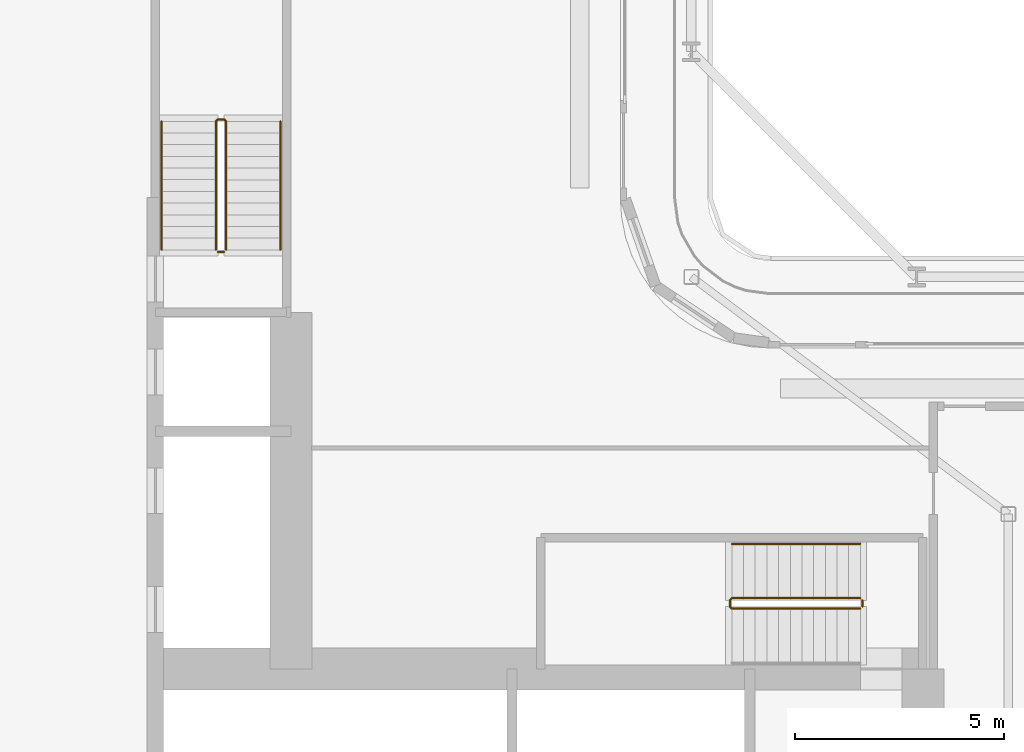
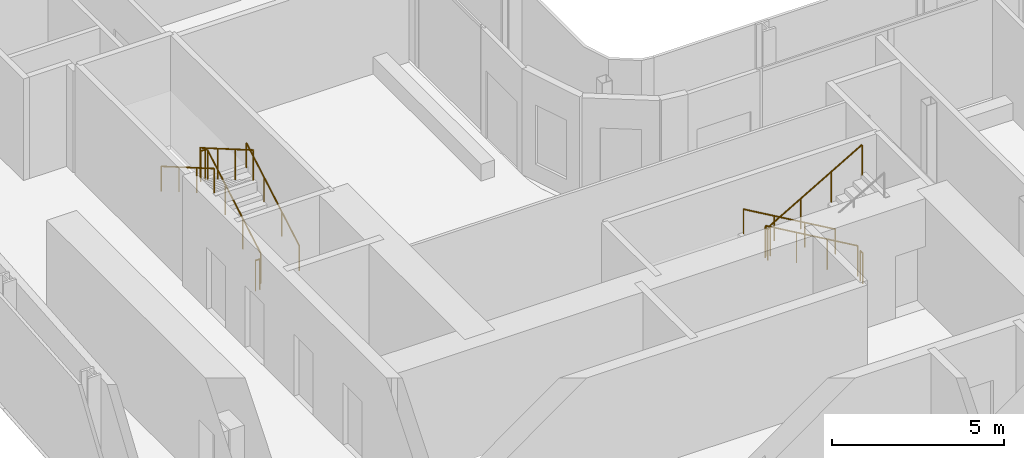
# One storey, part 23 of 28: 7 railings.
"""IFC4 building model written with IfcOpenShell, lengths in metres."""

from ifc_helpers import new_model, si_unit, direction, frame, origin, origin_2d, place, context, subcontext, project, spatial, circle, extrude, material, type_object, element, save


model = new_model("IFC4")

# Units and contexts
model_context = context("Model", 3, precision=1e-05, world=origin(), true_north=direction((0.0, 1.0)))
body_context = subcontext(model_context, "Body", "Model", "MODEL_VIEW")
ifc_project = project(units=[si_unit("LENGTHUNIT", "METRE"), si_unit("AREAUNIT", "SQUARE_METRE"), si_unit("VOLUMEUNIT", "CUBIC_METRE"), si_unit("PLANEANGLEUNIT", "RADIAN"), si_unit("MASSUNIT", "GRAM", prefix="KILO")], contexts=[model_context])

# Site, building, storey
site_placement = place(None, origin())
site = spatial("IfcSite", under=ifc_project, at=site_placement, CompositionType="ELEMENT")
building_placement = place(site_placement, origin())
building = spatial("IfcBuilding", under=site, at=building_placement, Name="Kheshtan School and Residences Tower", CompositionType="ELEMENT")
storey_placement = place(building_placement, frame((0.0, 0.0, 42.199951171875)))
storey = spatial("IfcBuildingStorey", under=building, at=storey_placement, Name="L09", CompositionType="ELEMENT", Elevation=42.199951171875)

# Railings
ifc_material_1 = material(Name="Stainless steel balustrade", Category="steel")
railing_type_1 = type_object("IfcRailingType", Name="Stair guard 1100", PredefinedType="GUARDRAIL", material=ifc_material_1)
railing_1_placement = place(storey_placement, frame((51.64990234375, 37.89990234375, 0.16259765625)))
element("IfcRailing", 1, at=railing_1_placement, inside=storey, type_object=railing_type_1, Name="L09 ST1 stair guard 1", PredefinedType="GUARDRAIL", context=body_context, shape_type="SweptSolid", body=[
    extrude(circle(Radius=0.02392578125, at=origin_2d()), frame((0.0, 0.0, 1.076171875), z_axis=(-0.864903211148, 0.0, 0.501938676878), x_axis=(0.0, -1.0, 0.0)), (0.0, 0.0, 1.0), 3.560791015625),
    extrude(circle(Radius=0.02392578125, at=origin_2d()), frame((-3.079833984375, 0.0, 2.86328125), z_axis=(-0.708833529934, -0.705375805398, 0.0), x_axis=(0.705375805398, -0.708833529934, 0.0)), (0.0, 0.0, 1.0), 0.070556640625),
    extrude(circle(Radius=0.02392578125, at=origin_2d()), frame((-3.1298828125, -0.0498046875, 2.86328125), z_axis=(0.0, -1.0, 0.0), x_axis=(1.0, 0.0, 0.0)), (0.0, 0.0, 1.0), 0.150146484375),
    extrude(circle(Radius=0.02392578125, at=origin_2d()), frame((-3.1298828125, -0.199951171875, 2.86328125), z_axis=(0.282227285176, -0.282227285176, 0.916894497205), x_axis=(0.707106781187, 0.707106781187, 0.0)), (0.0, 0.0, 1.0), 0.17724609375),
    extrude(circle(Radius=0.02392578125, at=origin_2d()), frame((-3.079833984375, -0.25, 3.02587890625), z_axis=(0.864873446163, 0.0, 0.501989962173), x_axis=(0.0, 1.0, 0.0)), (0.0, 0.0, 1.0), 3.56103515625),
    extrude(circle(Radius=0.02099609375, at=origin_2d()), origin(), (0.0, 0.0, 1.0), 1.052001953125),
    extrude(circle(Radius=0.02099609375, at=origin_2d()), frame((-1.026611328125, 0.0, 0.595703125)), (0.0, 0.0, 1.0), 1.052001953125),
    extrude(circle(Radius=0.02099609375, at=origin_2d()), frame((-2.05322265625, 0.0, 1.191650390625)), (0.0, 0.0, 1.0), 1.052001953125),
    extrude(circle(Radius=0.02099609375, at=origin_2d()), frame((-3.079833984375, 0.0, 1.787353515625)), (0.0, 0.0, 1.0), 1.052001953125),
    extrude(circle(Radius=0.02099609375, at=origin_2d()), frame((-3.1298828125, -0.0498046875, 1.787353515625)), (0.0, 0.0, 1.0), 1.052001953125),
    extrude(circle(Radius=0.02099609375, at=origin_2d()), frame((-3.1298828125, -0.199951171875, 1.787353515625)), (0.0, 0.0, 1.0), 1.052001953125),
    extrude(circle(Radius=0.02099609375, at=origin_2d()), frame((-3.079833984375, -0.25, 1.949951171875)), (0.0, 0.0, 1.0), 1.052001953125),
    extrude(circle(Radius=0.02099609375, at=origin_2d()), frame((-2.05322265625, -0.25, 2.5458984375)), (0.0, 0.0, 1.0), 1.052001953125),
    extrude(circle(Radius=0.02099609375, at=origin_2d()), frame((-1.026611328125, -0.25, 3.1416015625)), (0.0, 0.0, 1.0), 1.052001953125),
    extrude(circle(Radius=0.02099609375, at=origin_2d()), frame((0.0, -0.25, 3.737548828125)), (0.0, 0.0, 1.0), 1.052001953125),
])
railing_2_placement = place(storey_placement, frame((51.699951171875, 37.85009765625, 0.0)))
element("IfcRailing", 2, at=railing_2_placement, inside=storey, type_object=railing_type_1, Name="L09 ST1 stair guard 2", PredefinedType="GUARDRAIL", context=body_context, shape_type="SweptSolid", body=[
    extrude(circle(Radius=0.02392578125, at=origin_2d()), frame((0.0, 0.0, 1.076171875), z_axis=(0.0, -1.0, 0.0), x_axis=(1.0, 0.0, 0.0)), (0.0, 0.0, 1.0), 0.150146484375),
    extrude(circle(Radius=0.02099609375, at=origin_2d()), origin(), (0.0, 0.0, 1.0), 1.052001953125),
    extrude(circle(Radius=0.02099609375, at=origin_2d()), frame((0.0, -0.150146484375, 0.0)), (0.0, 0.0, 1.0), 1.052001953125),
])
railing_3_placement = place(storey_placement, frame((36.449951171875, 46.25, 0.16259765625)))
element("IfcRailing", 3, at=railing_3_placement, inside=storey, type_object=railing_type_1, Name="L09 ST2 stair guard 1", PredefinedType="GUARDRAIL", context=body_context, shape_type="SweptSolid", body=[
    extrude(circle(Radius=0.02392578125, at=origin_2d()), frame((0.0, 0.0, 1.076171875), z_axis=(0.0, 0.864920483161, 0.501908913857), x_axis=(-1.0, 0.0, 0.0)), (0.0, 0.0, 1.0), 3.56103515625),
    extrude(circle(Radius=0.02392578125, at=origin_2d()), frame((0.0, 3.080078125, 2.86328125), z_axis=(-0.708833529934, 0.705375805398, 0.0), x_axis=(-0.705375805398, -0.708833529934, 0.0)), (0.0, 0.0, 1.0), 0.070556640625),
    extrude(circle(Radius=0.02392578125, at=origin_2d()), frame((-0.050048828125, 3.1298828125, 2.86328125), z_axis=(-1.0, 0.0, 0.0), x_axis=(0.0, -1.0, 0.0)), (0.0, 0.0, 1.0), 0.14990234375),
    extrude(circle(Radius=0.02392578125, at=origin_2d()), frame((-0.199951171875, 3.1298828125, 2.86328125), z_axis=(-0.282336740067, -0.280959487676, 0.917250092119), x_axis=(0.705375805398, -0.708833529934, 0.0)), (0.0, 0.0, 1.0), 0.17724609375),
    extrude(circle(Radius=0.02392578125, at=origin_2d()), frame((-0.25, 3.080078125, 3.02587890625), z_axis=(0.0, -0.864890721111, 0.501960198159), x_axis=(1.0, 0.0, 0.0)), (0.0, 0.0, 1.0), 3.561279296875),
    extrude(circle(Radius=0.02099609375, at=origin_2d()), origin(), (0.0, 0.0, 1.0), 1.052001953125),
    extrude(circle(Radius=0.02099609375, at=origin_2d()), frame((0.0, 1.026611328125, 0.595703125)), (0.0, 0.0, 1.0), 1.052001953125),
    extrude(circle(Radius=0.02099609375, at=origin_2d()), frame((0.0, 2.053466796875, 1.191650390625)), (0.0, 0.0, 1.0), 1.052001953125),
    extrude(circle(Radius=0.02099609375, at=origin_2d()), frame((0.0, 3.080078125, 1.787353515625)), (0.0, 0.0, 1.0), 1.052001953125),
    extrude(circle(Radius=0.02099609375, at=origin_2d()), frame((-0.050048828125, 3.1298828125, 1.787353515625)), (0.0, 0.0, 1.0), 1.052001953125),
    extrude(circle(Radius=0.02099609375, at=origin_2d()), frame((-0.199951171875, 3.1298828125, 1.787353515625)), (0.0, 0.0, 1.0), 1.052001953125),
    extrude(circle(Radius=0.02099609375, at=origin_2d()), frame((-0.25, 3.080078125, 1.949951171875)), (0.0, 0.0, 1.0), 1.052001953125),
    extrude(circle(Radius=0.02099609375, at=origin_2d()), frame((-0.25, 2.053466796875, 2.5458984375)), (0.0, 0.0, 1.0), 1.052001953125),
    extrude(circle(Radius=0.02099609375, at=origin_2d()), frame((-0.25, 1.026611328125, 3.1416015625)), (0.0, 0.0, 1.0), 1.052001953125),
    extrude(circle(Radius=0.02099609375, at=origin_2d()), frame((-0.25, 0.0, 3.737548828125)), (0.0, 0.0, 1.0), 1.052001953125),
])
railing_4_placement = place(storey_placement, frame((36.39990234375, 46.199951171875, 0.0)))
element("IfcRailing", 4, at=railing_4_placement, inside=storey, type_object=railing_type_1, Name="L09 ST2 stair guard 2", PredefinedType="GUARDRAIL", context=body_context, shape_type="SweptSolid", body=[
    extrude(circle(Radius=0.02392578125, at=origin_2d()), frame((0.0, 0.0, 1.076171875), z_axis=(-1.0, 0.0, 0.0), x_axis=(0.0, -1.0, 0.0)), (0.0, 0.0, 1.0), 0.14990234375),
    extrude(circle(Radius=0.02099609375, at=origin_2d()), origin(), (0.0, 0.0, 1.0), 1.052001953125),
    extrude(circle(Radius=0.02099609375, at=origin_2d()), frame((-0.14990234375, 0.0, 0.0)), (0.0, 0.0, 1.0), 1.052001953125),
])
ifc_material_2 = material(Name="Stainless steel handrail", Category="steel")
railing_type_2 = type_object("IfcRailingType", Name="Stair handrail 900", PredefinedType="HANDRAIL", material=ifc_material_2)
railing_5_placement = place(storey_placement, frame((51.64990234375, 39.199951171875, 0.16259765625)))
element("IfcRailing", 5, at=railing_5_placement, inside=storey, type_object=railing_type_2, Name="L09 ST1 stair handrail 1", PredefinedType="HANDRAIL", context=body_context, shape_type="SweptSolid", body=[
    extrude(circle(Radius=0.02392578125, at=origin_2d()), frame((0.0, 0.0, 0.8759765625), z_axis=(-0.864903211148, 0.0, 0.501938676878), x_axis=(0.0, -1.0, 0.0)), (0.0, 0.0, 1.0), 3.560791015625),
    extrude(circle(Radius=0.02099609375, at=origin_2d()), origin(), (0.0, 0.0, 1.0), 0.851806640625),
    extrude(circle(Radius=0.02099609375, at=origin_2d()), frame((-1.026611328125, 0.0, 0.595703125)), (0.0, 0.0, 1.0), 0.851806640625),
    extrude(circle(Radius=0.02099609375, at=origin_2d()), frame((-2.05322265625, 0.0, 1.191650390625)), (0.0, 0.0, 1.0), 0.851806640625),
    extrude(circle(Radius=0.02099609375, at=origin_2d()), frame((-3.079833984375, 0.0, 1.787353515625)), (0.0, 0.0, 1.0), 0.851806640625),
])
railing_6_placement = place(storey_placement, frame((37.75, 46.25, 0.16259765625)))
element("IfcRailing", 6, at=railing_6_placement, inside=storey, type_object=railing_type_2, Name="L09 ST2 stair handrail 1", PredefinedType="HANDRAIL", context=body_context, shape_type="SweptSolid", body=[
    extrude(circle(Radius=0.02392578125, at=origin_2d()), frame((0.0, 0.0, 0.8759765625), z_axis=(0.0, 0.864920483161, 0.501908913857), x_axis=(-1.0, 0.0, 0.0)), (0.0, 0.0, 1.0), 3.56103515625),
    extrude(circle(Radius=0.02099609375, at=origin_2d()), origin(), (0.0, 0.0, 1.0), 0.851806640625),
    extrude(circle(Radius=0.02099609375, at=origin_2d()), frame((0.0, 1.026611328125, 0.595703125)), (0.0, 0.0, 1.0), 0.851806640625),
    extrude(circle(Radius=0.02099609375, at=origin_2d()), frame((0.0, 2.053466796875, 1.191650390625)), (0.0, 0.0, 1.0), 0.851806640625),
    extrude(circle(Radius=0.02099609375, at=origin_2d()), frame((0.0, 3.080078125, 1.787353515625)), (0.0, 0.0, 1.0), 0.851806640625),
])
railing_7_placement = place(storey_placement, frame((34.89990234375, 49.330078125, 2.112548828125)))
element("IfcRailing", 7, at=railing_7_placement, inside=storey, type_object=railing_type_2, Name="L09 ST2 stair handrail 2", PredefinedType="HANDRAIL", context=body_context, shape_type="SweptSolid", body=[
    extrude(circle(Radius=0.02392578125, at=origin_2d()), frame((0.0, 0.0, 0.8759765625), z_axis=(0.0, -0.864890721111, 0.501960198159), x_axis=(1.0, 0.0, 0.0)), (0.0, 0.0, 1.0), 3.561279296875),
    extrude(circle(Radius=0.02099609375, at=origin_2d()), origin(), (0.0, 0.0, 1.0), 0.851806640625),
    extrude(circle(Radius=0.02099609375, at=origin_2d()), frame((0.0, -1.026611328125, 0.595947265625)), (0.0, 0.0, 1.0), 0.851806640625),
    extrude(circle(Radius=0.02099609375, at=origin_2d()), frame((0.0, -2.053466796875, 1.191650390625)), (0.0, 0.0, 1.0), 0.851806640625),
    extrude(circle(Radius=0.02099609375, at=origin_2d()), frame((0.0, -3.080078125, 1.78759765625)), (0.0, 0.0, 1.0), 0.851806640625),
])

save(model, "model.ifc")
